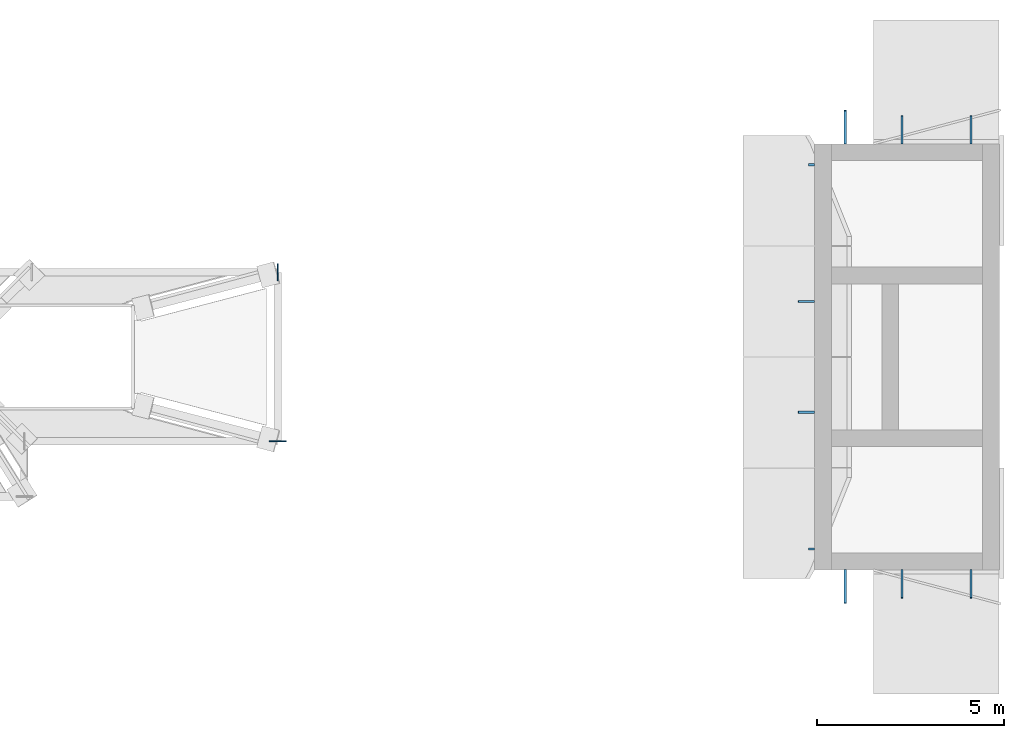
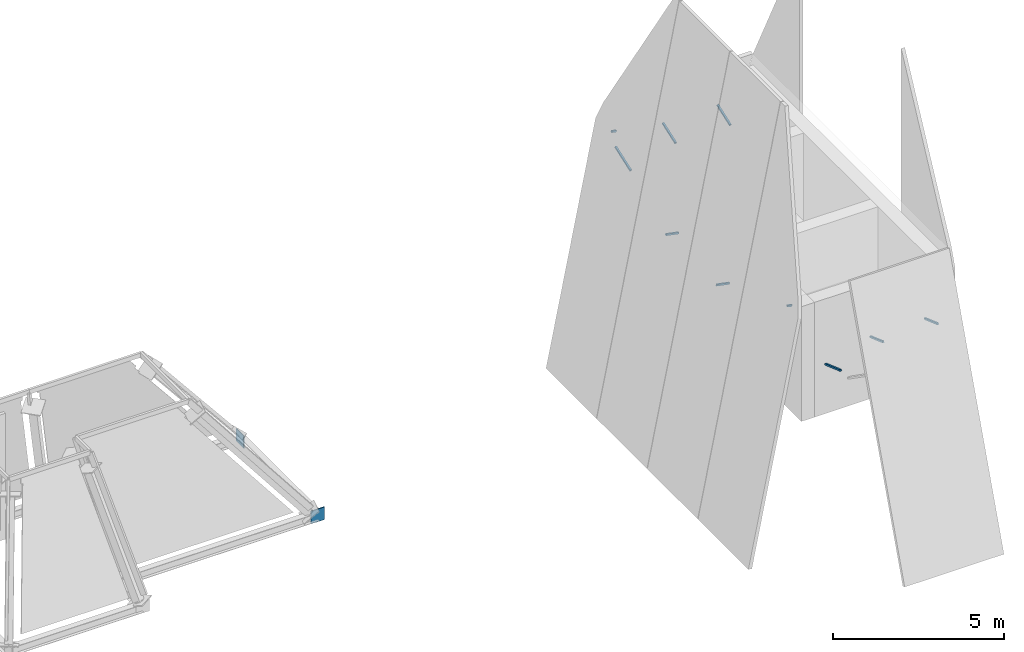
# One storey, part 4 of 5: 12 discrete accessories.
"""IFC4 building model written with IfcOpenShell, lengths in metres."""

from ifc_helpers import new_model, si_unit, direction, frame, origin, origin_2d, place, context, subcontext, project, spatial, rectangle, extrude, material, material_profile, profile_set, type_object, element, save


model = new_model("IFC4")

# Units and contexts
model_context = context("Model", 3, precision=1e-05, world=origin(), true_north=direction((0.0, 1.0)))
body_context = subcontext(model_context, "Body", "Model", "MODEL_VIEW")
ifc_project = project(units=[si_unit("LENGTHUNIT", "METRE"), si_unit("AREAUNIT", "SQUARE_METRE"), si_unit("VOLUMEUNIT", "CUBIC_METRE"), si_unit("PLANEANGLEUNIT", "RADIAN"), si_unit("MASSUNIT", "GRAM", prefix="KILO")], contexts=[model_context])

# Site, building, storey
site_placement = place(None, origin())
site = spatial("IfcSite", under=ifc_project, at=site_placement, CompositionType="ELEMENT")
building_placement = place(site_placement, origin())
building = spatial("IfcBuilding", under=site, at=building_placement, Name="Perihelion Cross Residences", CompositionType="ELEMENT")
storey_placement = place(building_placement, frame((0.0, 0.0, 316.800048828125)))
storey = spatial("IfcBuildingStorey", under=building, at=storey_placement, Name="L80", CompositionType="ELEMENT", Elevation=316.800048828125)

# Discrete accessories
ifc_material_1 = material(Name="Structural steel S355 plate", Category="steel")
ifc_material_profile_1 = material_profile(ifc_material_1, rectangle(XDim=0.449951171875, YDim=0.449951171875, at=origin_2d()), Name="Crown end plate")
ifc_profile_set_1 = profile_set([ifc_material_profile_1], Name="Structural steel S355 plate")
discrete_accessory_type_1 = type_object("IfcDiscreteAccessoryType", Name="Crown end plate", PredefinedType="BRACKET", material=ifc_profile_set_1)
discrete_accessory_1_placement = place(storey_placement, frame((9.03515625, -2.2763671875, -0.401123046875), z_axis=(0.0, 1.0, 0.0), x_axis=(-1.0, 0.0, 0.0)))
element("IfcDiscreteAccessory", 1, at=discrete_accessory_1_placement, inside=storey, type_object=discrete_accessory_type_1, Name="Crown end plate", PredefinedType="BRACKET", context=body_context, shape_type="SweptSolid", body=[
    extrude(rectangle(XDim=0.449951171875, YDim=0.449951171875, at=origin_2d()), origin(), (0.0, 0.0, 1.0), 0.030029296875),
])
discrete_accessory_2_placement = place(storey_placement, frame((9.050048828125, 2.26123046875, -0.401123046875), z_axis=(-1.0, 0.0, 0.0), x_axis=(0.0, -1.0, 0.0)))
element("IfcDiscreteAccessory", 2, at=discrete_accessory_2_placement, inside=storey, type_object=discrete_accessory_type_1, Name="Crown end plate", PredefinedType="BRACKET", context=body_context, shape_type="SweptSolid", body=[
    extrude(rectangle(XDim=0.449951171875, YDim=0.449951171875, at=origin_2d()), origin(), (0.0, 0.0, 1.0), 0.02978515625),
])
ifc_material_2 = material(Name="Stainless steel", Category="steel")
ifc_material_profile_2 = material_profile(ifc_material_2, rectangle(XDim=0.06005859375, YDim=0.06005859375, at=origin_2d()), Name="Pylon facet bracket")
ifc_profile_set_2 = profile_set([ifc_material_profile_2], Name="Stainless steel")
discrete_accessory_type_2 = type_object("IfcDiscreteAccessoryType", Name="Pylon facet bracket", PredefinedType="BRACKET", material=ifc_profile_set_2)
discrete_accessory_3_placement = place(storey_placement, frame((24.22021484375, 6.590576171875, 2.08447265625), z_axis=(0.0, -0.94222012533, -0.334994381182), x_axis=(1.0, 0.0, 0.0)))
element("IfcDiscreteAccessory", 3, at=discrete_accessory_3_placement, inside=storey, type_object=discrete_accessory_type_2, Name="Pylon facet bracket, east stack", PredefinedType="BRACKET", context=body_context, shape_type="SweptSolid", body=[
    extrude(rectangle(XDim=0.06005859375, YDim=0.06005859375, at=origin_2d()), origin(), (0.0, 0.0, 1.0), 0.9453125),
])
for number, where, z_axis, x_axis, name in (
    (4, (27.585205078125, 6.4482421875, 2.485107421875), (0.0, -0.942193125577, -0.335070312196), (1.0, 0.0, 0.0), "Pylon facet bracket, east stack"),
    (5, (25.739990234375, 6.4482421875, 2.485107421875), (0.0, -0.942193125577, -0.335070312196), (1.0, 0.0, 0.0), "Pylon facet bracket, east stack"),
):
    element("IfcDiscreteAccessory", number, at=place(storey_placement, frame(where, z_axis=z_axis, x_axis=x_axis)), inside=storey, type_object=discrete_accessory_type_2, Name=name, PredefinedType="BRACKET", context=body_context, shape_type="SweptSolid", body=[
        extrude(rectangle(XDim=0.06005859375, YDim=0.06005859375, at=origin_2d()), origin(), (0.0, 0.0, 1.0), 0.794189453125),
    ])
discrete_accessory_4_placement = place(storey_placement, frame((24.22021484375, -6.590576171875, 2.08447265625), z_axis=(0.0, 0.94222012533, -0.334994381182), x_axis=(-1.0, 0.0, 0.0)))
element("IfcDiscreteAccessory", 6, at=discrete_accessory_4_placement, inside=storey, type_object=discrete_accessory_type_2, Name="Pylon facet bracket, east stack", PredefinedType="BRACKET", context=body_context, shape_type="SweptSolid", body=[
    extrude(rectangle(XDim=0.06005859375, YDim=0.06005859375, at=origin_2d()), origin(), (0.0, 0.0, 1.0), 0.9453125),
])
for number, where, z_axis, x_axis, name in (
    (7, (25.739990234375, -6.4482421875, 2.485107421875), (0.0, 0.942193125577, -0.335070312196), (-1.0, 0.0, 0.0), "Pylon facet bracket, east stack"),
    (8, (27.585205078125, -6.4482421875, 2.485107421875), (0.0, 0.942193125577, -0.335070312196), (-1.0, 0.0, 0.0), "Pylon facet bracket, east stack"),
):
    element("IfcDiscreteAccessory", number, at=place(storey_placement, frame(where, z_axis=z_axis, x_axis=x_axis)), inside=storey, type_object=discrete_accessory_type_2, Name=name, PredefinedType="BRACKET", context=body_context, shape_type="SweptSolid", body=[
        extrude(rectangle(XDim=0.06005859375, YDim=0.06005859375, at=origin_2d()), origin(), (0.0, 0.0, 1.0), 0.794189453125),
    ])
discrete_accessory_5_placement = place(storey_placement, frame((23.239501953125, -5.139404296875, 3.850830078125), z_axis=(0.980695329699, 0.0, -0.195541991158), x_axis=(0.0, 1.0, 0.0)))
element("IfcDiscreteAccessory", 9, at=discrete_accessory_5_placement, inside=storey, type_object=discrete_accessory_type_2, Name="Pylon facet bracket, east stack", PredefinedType="BRACKET", context=body_context, shape_type="SweptSolid", body=[
    extrude(rectangle(XDim=0.06005859375, YDim=0.06005859375, at=origin_2d()), origin(), (0.0, 0.0, 1.0), 0.16357421875),
])
for number, where, z_axis, x_axis, name in (
    (10, (22.96533203125, -1.4833984375, 2.4794921875), (0.980580675691, 0.0, -0.196116135138), (0.0, 1.0, 0.0), "Pylon facet bracket, east stack"),
    (11, (22.96533203125, 1.4833984375, 2.4794921875), (0.980580675691, 0.0, -0.196116135138), (0.0, 1.0, 0.0), "Pylon facet bracket, east stack"),
):
    element("IfcDiscreteAccessory", number, at=place(storey_placement, frame(where, z_axis=z_axis, x_axis=x_axis)), inside=storey, type_object=discrete_accessory_type_2, Name=name, PredefinedType="BRACKET", context=body_context, shape_type="SweptSolid", body=[
        extrude(rectangle(XDim=0.06005859375, YDim=0.06005859375, at=origin_2d()), origin(), (0.0, 0.0, 1.0), 0.443115234375),
    ])
discrete_accessory_6_placement = place(storey_placement, frame((23.239501953125, 5.139404296875, 3.850830078125), z_axis=(0.980695329699, 0.0, -0.195541991158), x_axis=(0.0, 1.0, 0.0)))
element("IfcDiscreteAccessory", 12, at=discrete_accessory_6_placement, inside=storey, type_object=discrete_accessory_type_2, Name="Pylon facet bracket, east stack", PredefinedType="BRACKET", context=body_context, shape_type="SweptSolid", body=[
    extrude(rectangle(XDim=0.06005859375, YDim=0.06005859375, at=origin_2d()), origin(), (0.0, 0.0, 1.0), 0.16357421875),
])

save(model, "model.ifc")
